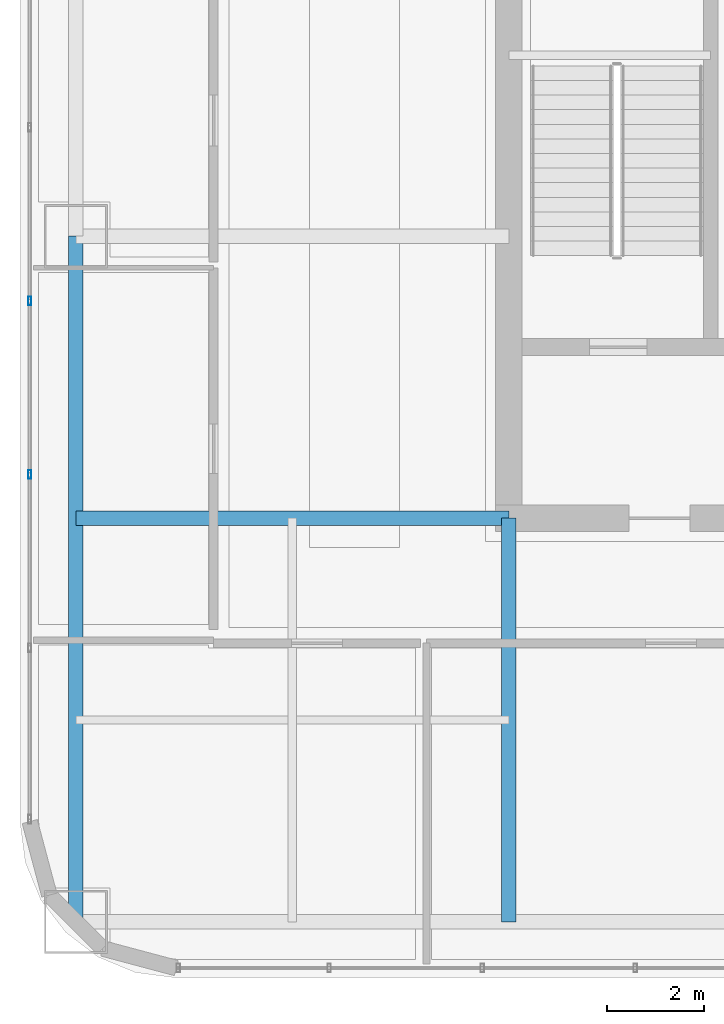
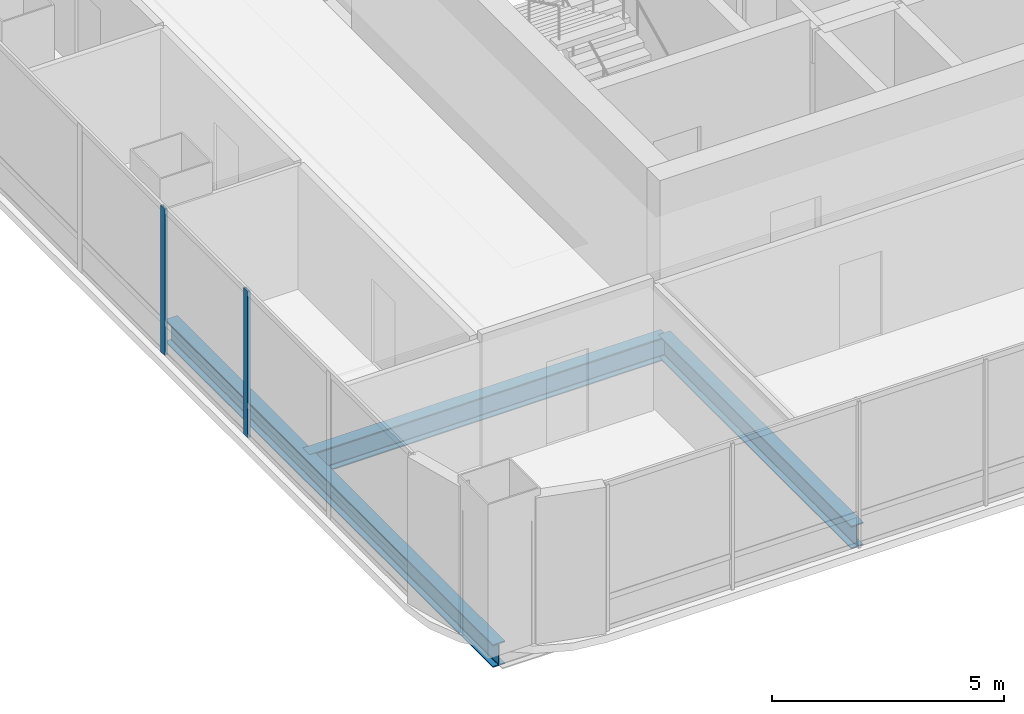
# One storey, part 4 of 44: 3 beams, 2 members, 1 element without a shape of its own.
"""IFC4 building model written with IfcOpenShell, lengths in metres."""

from ifc_helpers import new_model, si_unit, direction, frame, origin, origin_2d, place, context, subcontext, project, spatial, hollow_rectangle, i_section, extrude, material, material_profile, profile_set, type_object, element, aggregate, save


model = new_model("IFC4")

# Units and contexts
model_context = context("Model", 3, precision=1e-05, world=origin(), true_north=direction((0.0, 1.0)))
body_context = subcontext(model_context, "Body", "Model", "MODEL_VIEW")
ifc_project = project(units=[si_unit("LENGTHUNIT", "METRE"), si_unit("AREAUNIT", "SQUARE_METRE"), si_unit("VOLUMEUNIT", "CUBIC_METRE"), si_unit("PLANEANGLEUNIT", "RADIAN"), si_unit("MASSUNIT", "GRAM", prefix="KILO")], contexts=[model_context])

# Site, building, storey
site_placement = place(None, origin())
site = spatial("IfcSite", under=ifc_project, at=site_placement, CompositionType="ELEMENT")
building_placement = place(site_placement, origin())
building = spatial("IfcBuilding", under=site, at=building_placement, Name="Punatoya Terracotta Tower", CompositionType="ELEMENT")
storey_placement = place(building_placement, frame((0.0, 0.0, 267.60009765625)))
storey = spatial("IfcBuildingStorey", under=building, at=storey_placement, Name="L63", CompositionType="ELEMENT", Elevation=267.60009765625)

# Beams
ifc_material_1 = material(Name="Steel S355", Category="steel")
ifc_material_profile_1 = material_profile(ifc_material_1, i_section(OverallWidth=0.300048828125, OverallDepth=0.60009765625, WebThickness=0.015380859375, FlangeThickness=0.030029296875, FilletRadius=0.01806640625, at=origin_2d()))
ifc_profile_set_1 = profile_set([ifc_material_profile_1], Name="Steel S355")
beam_type = type_object("IfcBeamType", Name="BM-PRI-600", PredefinedType="BEAM", material=ifc_profile_set_1)
beam_1_placement = place(storey_placement, frame((-19.10009765625, -17.5, -0.5), z_axis=(0.0, 1.0, 0.0), x_axis=(-1.0, 0.0, 0.0)))
element("IfcBeam", 1, at=beam_1_placement, inside=storey, type_object=beam_type, Name="BM-L63-RG-W1", PredefinedType="BEAM", context=body_context, shape_type="SweptSolid", body=[
    extrude(i_section(OverallWidth=0.300048828125, OverallDepth=0.60009765625, WebThickness=0.015380859375, FlangeThickness=0.030029296875, FilletRadius=0.01806640625, at=origin_2d()), origin(), (0.0, 0.0, 1.0), 14.10009765625),
])
beam_2_placement = place(storey_placement, frame((-19.10009765625, -9.199951171875, -0.5), z_axis=(1.0, 0.0, 0.0), x_axis=(0.0, 1.0, 0.0)))
element("IfcBeam", 2, at=beam_2_placement, inside=storey, type_object=beam_type, Name="BM-L63-PR-WS", PredefinedType="BEAM", context=body_context, shape_type="SweptSolid", body=[
    extrude(i_section(OverallWidth=0.300048828125, OverallDepth=0.60009765625, WebThickness=0.015380859375, FlangeThickness=0.030029296875, FilletRadius=0.01806640625, at=origin_2d()), origin(), (0.0, 0.0, 1.0), 8.900146484375),
])
beam_3_placement = place(storey_placement, frame((-10.199951171875, -17.5, -0.5), z_axis=(0.0, 1.0, 0.0), x_axis=(-1.0, 0.0, 0.0)))
element("IfcBeam", 3, at=beam_3_placement, inside=storey, type_object=beam_type, Name="BM-L63-PR-S1", PredefinedType="BEAM", context=body_context, shape_type="SweptSolid", body=[
    extrude(i_section(OverallWidth=0.300048828125, OverallDepth=0.60009765625, WebThickness=0.015380859375, FlangeThickness=0.030029296875, FilletRadius=0.01806640625, at=origin_2d()), origin(), (0.0, 0.0, 1.0), 8.300048828125),
])

# Curtain wall, members
ifc_material_2 = material(Name="Aluminium 6063-T6 + Double Low-E Glass", Category="aluminium")
curtain_wall_type = type_object("IfcCurtainWallType", Name="CW-M3", PredefinedType="NOTDEFINED", material=ifc_material_2)
curtain_wall_placement = place(storey_placement, origin())
curtain_wall = element("IfcCurtainWall", 4, at=curtain_wall_placement, inside=storey, type_object=curtain_wall_type, Name="L63 Curtain Wall CW-L63-W13-1", PredefinedType="NOTDEFINED")
ifc_material_3 = material(Name="Aluminium 6063-T6", Category="aluminium")
ifc_material_profile_2 = material_profile(ifc_material_3, hollow_rectangle(XDim=0.070068359375, YDim=0.179931640625, WallThickness=0.00390625, at=origin_2d()))
ifc_profile_set_2 = profile_set([ifc_material_profile_2], Name="Aluminium 6063-T6")
member_type = type_object("IfcMemberType", Name="CW-MUL-M3", PredefinedType="MULLION", material=ifc_profile_set_2)
member_1_placement = place(storey_placement, frame((-20.050048828125, -4.73486328125, 0.0), z_axis=(0.0, 0.0, 1.0), x_axis=(1.0, 0.0, 0.0)))
member_1 = element("IfcMember", 5, at=member_1_placement, type_object=member_type, Name="CW-L63-W13-1 Mullion 07", PredefinedType="MULLION", context=body_context, shape_type="SweptSolid", body=[
    extrude(hollow_rectangle(XDim=0.070068359375, YDim=0.179931640625, WallThickness=0.00390625, at=origin_2d()), origin(), (0.0, 0.0, 1.0), 3.849853515625),
])
member_2_placement = place(storey_placement, frame((-20.050048828125, -8.302001953125, 0.0), z_axis=(0.0, 0.0, 1.0), x_axis=(1.0, 0.0, 0.0)))
member_2 = element("IfcMember", 6, at=member_2_placement, type_object=member_type, Name="CW-L63-W13-1 Mullion 08", PredefinedType="MULLION", context=body_context, shape_type="SweptSolid", body=[
    extrude(hollow_rectangle(XDim=0.070068359375, YDim=0.179931640625, WallThickness=0.00390625, at=origin_2d()), origin(), (0.0, 0.0, 1.0), 3.849853515625),
])
aggregate(curtain_wall, [member_1, member_2])

save(model, "model.ifc")
